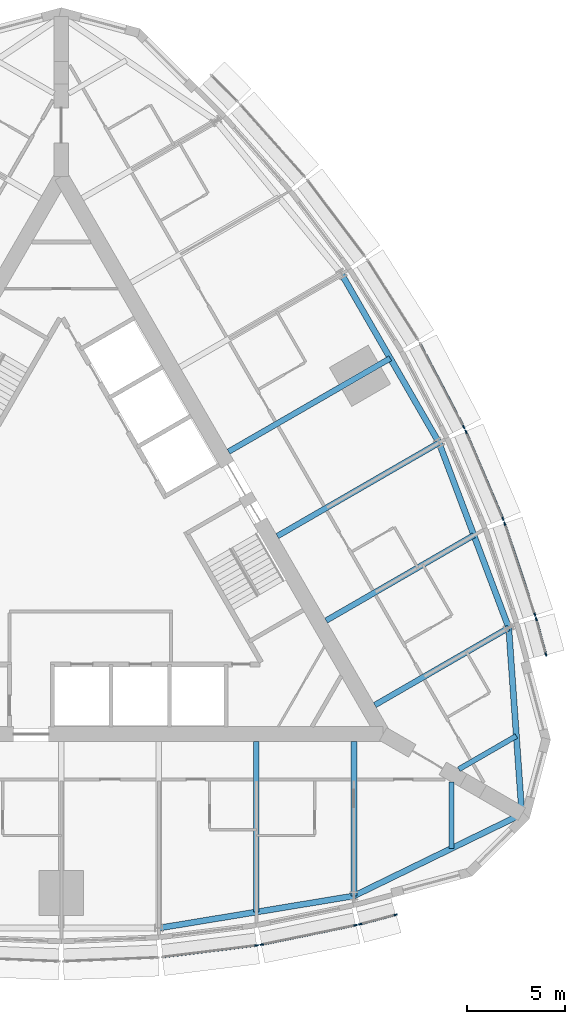
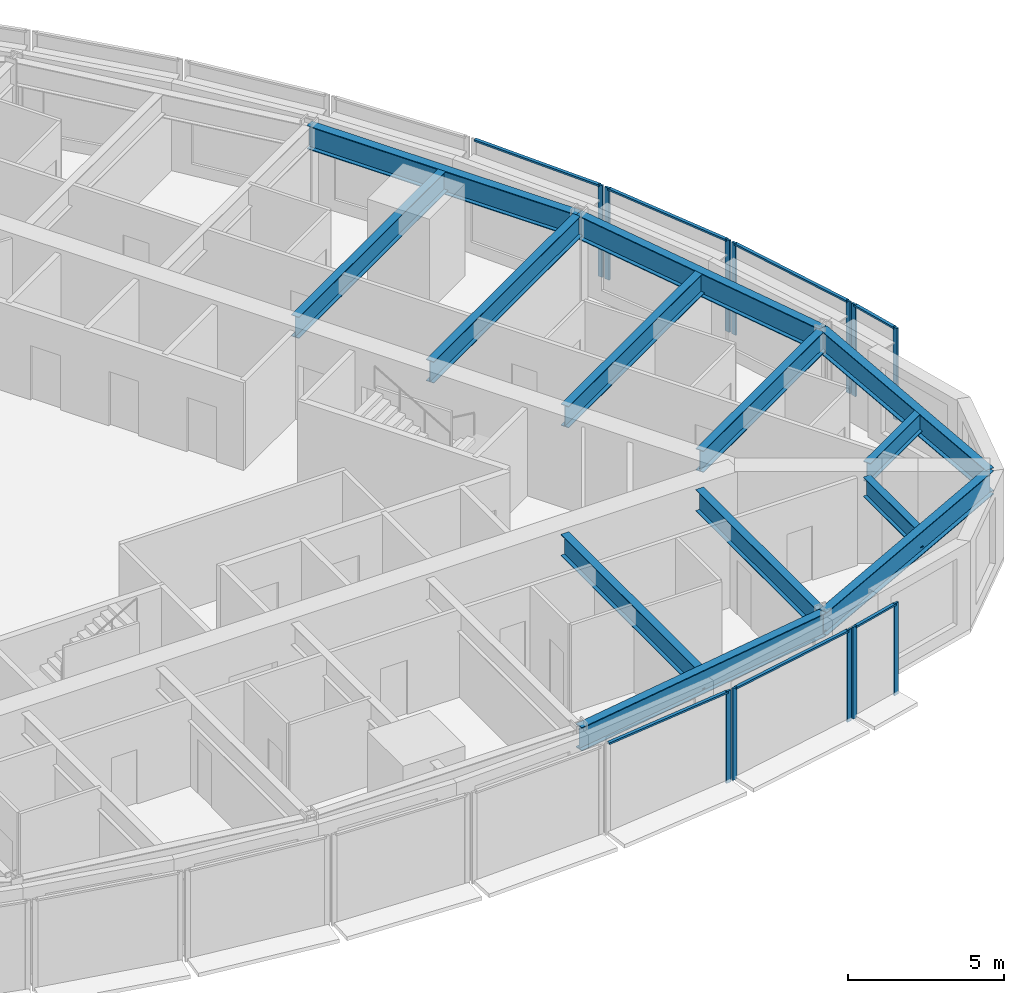
# One storey, part 4 of 15: 19 members, 13 beams, 7 elements without a shape of their own.
"""IFC4 building model written with IfcOpenShell, lengths in metres."""

from ifc_helpers import new_model, si_unit, direction, frame, origin, origin_2d, place, context, subcontext, project, spatial, rectangle, i_section, extrude, material, material_profile, profile_set, type_object, element, aggregate, save


model = new_model("IFC4")

# Units and contexts
model_context = context("Model", 3, precision=1e-05, world=origin(), true_north=direction((0.0, 1.0)))
body_context = subcontext(model_context, "Body", "Model", "MODEL_VIEW")
ifc_project = project(units=[si_unit("LENGTHUNIT", "METRE"), si_unit("AREAUNIT", "SQUARE_METRE"), si_unit("VOLUMEUNIT", "CUBIC_METRE"), si_unit("PLANEANGLEUNIT", "RADIAN"), si_unit("MASSUNIT", "GRAM", prefix="KILO")], contexts=[model_context])

# Site, building, storey
site_placement = place(None, origin())
site = spatial("IfcSite", under=ifc_project, at=site_placement, CompositionType="ELEMENT")
building_placement = place(site_placement, origin())
building = spatial("IfcBuilding", under=site, at=building_placement, Name="Trikona Tower", CompositionType="ELEMENT")
storey_placement = place(building_placement, frame((0.0, 0.0, 211.699951171875)))
storey = spatial("IfcBuildingStorey", under=building, at=storey_placement, Name="L56", CompositionType="ELEMENT", Elevation=211.699951171875)

# Curtain wall, member
ifc_material_1 = material(Name="Aluminium curtain wall system", Category="aluminium")
curtain_wall_type = type_object("IfcCurtainWallType", Name="Curtain wall DS3", PredefinedType="NOTDEFINED", material=ifc_material_1)
curtain_wall_1_placement = place(storey_placement, origin())
curtain_wall_1 = element("IfcCurtainWall", 1, at=curtain_wall_1_placement, inside=storey, type_object=curtain_wall_type, Name="Curtain wall DS3 L56", PredefinedType="NOTDEFINED")
ifc_material_2 = material(Name="Aluminium mullion, pale anodised", Category="aluminium")
ifc_material_profile_1 = material_profile(ifc_material_2, rectangle(XDim=0.070068359375, YDim=0.179931640625, at=origin_2d()), Name="MUL-DS3")
ifc_profile_set_1 = profile_set([ifc_material_profile_1], Name="Aluminium mullion, pale anodised")
member_type_1 = type_object("IfcMemberType", Name="Mullion DS3 70x180", PredefinedType="MULLION", material=ifc_profile_set_1)
member_1_placement = place(storey_placement, frame((10.01611328125, -20.359130859375, 0.0), z_axis=(0.0, 0.0, 1.0), x_axis=(-0.122610640458, 0.992454850785, 0.0)))
member_1 = element("IfcMember", 2, at=member_1_placement, type_object=member_type_1, Name="CW-DS3 mullion 2", PredefinedType="MULLION", context=body_context, shape_type="SweptSolid", body=[
    extrude(rectangle(XDim=0.070068359375, YDim=0.179931640625, at=origin_2d()), origin(), (0.0, 0.0, 1.0), 3.60009765625),
])

# Curtain wall, members
curtain_wall_2_placement = place(storey_placement, origin())
curtain_wall_2 = element("IfcCurtainWall", 3, at=curtain_wall_2_placement, inside=storey, type_object=curtain_wall_type, Name="Curtain wall DS3 L56", PredefinedType="NOTDEFINED")
member_2_placement = place(storey_placement, frame((10.274658203125, -20.316650390625, 0.0), z_axis=(0.0, 0.0, 1.0), x_axis=(-0.201652920672, 0.979457043256, 0.0)))
member_2 = element("IfcMember", 4, at=member_2_placement, type_object=member_type_1, Name="CW-DS3 mullion 1", PredefinedType="MULLION", context=body_context, shape_type="SweptSolid", body=[
    extrude(rectangle(XDim=0.070068359375, YDim=0.179931640625, at=origin_2d()), origin(), (0.0, 0.0, 1.0), 3.60009765625),
])
member_3_placement = place(storey_placement, frame((15.08837890625, -19.325439453125, 0.0), z_axis=(0.0, 0.0, 1.0), x_axis=(-0.201652920672, 0.979457043256, 0.0)))
member_3 = element("IfcMember", 5, at=member_3_placement, type_object=member_type_1, Name="CW-DS3 mullion 2", PredefinedType="MULLION", context=body_context, shape_type="SweptSolid", body=[
    extrude(rectangle(XDim=0.070068359375, YDim=0.179931640625, at=origin_2d()), origin(), (0.0, 0.0, 1.0), 3.60009765625),
])

curtain_wall_3_placement = place(storey_placement, origin())
curtain_wall_3 = element("IfcCurtainWall", 6, at=curtain_wall_3_placement, inside=storey, type_object=curtain_wall_type, Name="Curtain wall DS3 L56", PredefinedType="NOTDEFINED")
member_4_placement = place(storey_placement, frame((15.321044921875, -19.27099609375, 0.0), z_axis=(0.0, 0.0, 1.0), x_axis=(-0.25478635579, 0.966997369647, 0.0)))
member_4 = element("IfcMember", 7, at=member_4_placement, type_object=member_type_1, Name="CW-DS3 mullion 1", PredefinedType="MULLION", context=body_context, shape_type="SweptSolid", body=[
    extrude(rectangle(XDim=0.070068359375, YDim=0.179931640625, at=origin_2d()), origin(), (0.0, 0.0, 1.0), 3.60009765625),
])
member_5_placement = place(storey_placement, frame((17.137451171875, -18.79248046875, 0.0), z_axis=(0.0, 0.0, 1.0), x_axis=(-0.25478635579, 0.966997369647, 0.0)))
member_5 = element("IfcMember", 8, at=member_5_placement, type_object=member_type_1, Name="CW-DS3 mullion 2", PredefinedType="MULLION", context=body_context, shape_type="SweptSolid", body=[
    extrude(rectangle(XDim=0.070068359375, YDim=0.179931640625, at=origin_2d()), origin(), (0.0, 0.0, 1.0), 3.60009765625),
])

curtain_wall_4_placement = place(storey_placement, origin())
curtain_wall_4 = element("IfcCurtainWall", 9, at=curtain_wall_4_placement, inside=storey, type_object=curtain_wall_type, Name="Curtain wall DS3 L56", PredefinedType="NOTDEFINED")
member_6_placement = place(storey_placement, frame((24.843505859375, -5.4453125, 0.0), z_axis=(0.0, 0.0, 1.0), x_axis=(-0.964838403494, -0.262843784676, 0.0)))
member_6 = element("IfcMember", 10, at=member_6_placement, type_object=member_type_1, Name="CW-DS3 mullion 1", PredefinedType="MULLION", context=body_context, shape_type="SweptSolid", body=[
    extrude(rectangle(XDim=0.070068359375, YDim=0.179931640625, at=origin_2d()), origin(), (0.0, 0.0, 1.0), 3.60009765625),
])
member_7_placement = place(storey_placement, frame((24.349609375, -3.633056640625, 0.0), z_axis=(0.0, 0.0, 1.0), x_axis=(-0.964838403494, -0.262843784676, 0.0)))
member_7 = element("IfcMember", 11, at=member_7_placement, type_object=member_type_1, Name="CW-DS3 mullion 2", PredefinedType="MULLION", context=body_context, shape_type="SweptSolid", body=[
    extrude(rectangle(XDim=0.070068359375, YDim=0.179931640625, at=origin_2d()), origin(), (0.0, 0.0, 1.0), 3.60009765625),
])

curtain_wall_5_placement = place(storey_placement, origin())
curtain_wall_5 = element("IfcCurtainWall", 12, at=curtain_wall_5_placement, inside=storey, type_object=curtain_wall_type, Name="Curtain wall DS3 L56", PredefinedType="NOTDEFINED")
member_8_placement = place(storey_placement, frame((24.280517578125, -3.404296875, 0.0), z_axis=(0.0, 0.0, 1.0), x_axis=(-0.949065766708, -0.315078038687, 0.0)))
member_8 = element("IfcMember", 13, at=member_8_placement, type_object=member_type_1, Name="CW-DS3 mullion 1", PredefinedType="MULLION", context=body_context, shape_type="SweptSolid", body=[
    extrude(rectangle(XDim=0.070068359375, YDim=0.179931640625, at=origin_2d()), origin(), (0.0, 0.0, 1.0), 3.60009765625),
])
member_9_placement = place(storey_placement, frame((22.73193359375, 1.26025390625, 0.0), z_axis=(0.0, 0.0, 1.0), x_axis=(-0.949065766708, -0.315078038687, 0.0)))
member_9 = element("IfcMember", 14, at=member_9_placement, type_object=member_type_1, Name="CW-DS3 mullion 2", PredefinedType="MULLION", context=body_context, shape_type="SweptSolid", body=[
    extrude(rectangle(XDim=0.070068359375, YDim=0.179931640625, at=origin_2d()), origin(), (0.0, 0.0, 1.0), 3.60009765625),
])

curtain_wall_6_placement = place(storey_placement, origin())
curtain_wall_6 = element("IfcCurtainWall", 15, at=curtain_wall_6_placement, inside=storey, type_object=curtain_wall_type, Name="Curtain wall DS3 L56", PredefinedType="NOTDEFINED")
member_10_placement = place(storey_placement, frame((22.6396484375, 1.50537109375, 0.0), z_axis=(0.0, 0.0, 1.0), x_axis=(-0.920792322808, -0.390053199266, 0.0)))
member_10 = element("IfcMember", 16, at=member_10_placement, type_object=member_type_1, Name="CW-DS3 mullion 1", PredefinedType="MULLION", context=body_context, shape_type="SweptSolid", body=[
    extrude(rectangle(XDim=0.070068359375, YDim=0.179931640625, at=origin_2d()), origin(), (0.0, 0.0, 1.0), 3.60009765625),
])
member_11_placement = place(storey_placement, frame((20.74853515625, 5.969482421875, 0.0), z_axis=(0.0, 0.0, 1.0), x_axis=(-0.920792322808, -0.390053199266, 0.0)))
member_11 = element("IfcMember", 17, at=member_11_placement, type_object=member_type_1, Name="CW-DS3 mullion 2", PredefinedType="MULLION", context=body_context, shape_type="SweptSolid", body=[
    extrude(rectangle(XDim=0.070068359375, YDim=0.179931640625, at=origin_2d()), origin(), (0.0, 0.0, 1.0), 3.60009765625),
])

# Curtain wall, member
curtain_wall_7_placement = place(storey_placement, origin())
curtain_wall_7 = element("IfcCurtainWall", 18, at=curtain_wall_7_placement, inside=storey, type_object=curtain_wall_type, Name="Curtain wall DS3 L56", PredefinedType="NOTDEFINED")
member_12_placement = place(storey_placement, frame((20.635986328125, 6.20751953125, 0.0), z_axis=(0.0, 0.0, 1.0), x_axis=(-0.885862390527, -0.463948084434, 0.0)))
member_12 = element("IfcMember", 19, at=member_12_placement, type_object=member_type_1, Name="CW-DS3 mullion 1", PredefinedType="MULLION", context=body_context, shape_type="SweptSolid", body=[
    extrude(rectangle(XDim=0.070068359375, YDim=0.179931640625, at=origin_2d()), origin(), (0.0, 0.0, 1.0), 3.60009765625),
])

# Beams
ifc_material_3 = material(Name="Steel ASTM A992 Grade 50", Category="steel")
ifc_material_profile_2 = material_profile(ifc_material_3, i_section(OverallWidth=0.2666015625, OverallDepth=0.76953125, WebThickness=0.015625, FlangeThickness=0.025390625, at=origin_2d()), Name="W30X132")
ifc_profile_set_2 = profile_set([ifc_material_profile_2], Name="Steel ASTM A992 Grade 50")
beam_type_1 = type_object("IfcBeamType", Name="Steel beam W30x132 (wedge)", PredefinedType="BEAM", material=ifc_profile_set_2)
beam_1_placement = place(storey_placement, frame((20.0, -11.97998046875, 3.05029296875), z_axis=(0.0, -1.0, 0.0), x_axis=(1.0, 0.0, 0.0)))
element("IfcBeam", 20, at=beam_1_placement, inside=storey, type_object=beam_type_1, Name="Floor beam L57 F1 u20", PredefinedType="BEAM", context=body_context, shape_type="SweptSolid", body=[
    extrude(i_section(OverallWidth=0.2666015625, OverallDepth=0.76953125, WebThickness=0.015625, FlangeThickness=0.025390625, at=origin_2d()), origin(), (0.0, 0.0, 1.0), 3.40966796875),
])
beam_2_placement = place(storey_placement, frame((20.375, -11.33056640625, 3.05029296875), z_axis=(0.865995995653, 0.500050932918, 0.0), x_axis=(-0.500050932918, 0.865995995653, 0.0)))
element("IfcBeam", 21, at=beam_2_placement, inside=storey, type_object=beam_type_1, Name="Floor beam L57 F2 u-20", PredefinedType="BEAM", context=body_context, shape_type="SweptSolid", body=[
    extrude(i_section(OverallWidth=0.2666015625, OverallDepth=0.76953125, WebThickness=0.015625, FlangeThickness=0.025390625, at=origin_2d()), origin(), (0.0, 0.0, 1.0), 3.409912109375),
])
ifc_material_4 = material(Name="Steel ASTM A992 Grade 50", Category="steel")
ifc_material_profile_3 = material_profile(ifc_material_4, i_section(OverallWidth=0.2919921875, OverallDepth=0.845703125, WebThickness=0.015380859375, FlangeThickness=0.0244140625, at=origin_2d()), Name="W33X141")
ifc_profile_set_3 = profile_set([ifc_material_profile_3], Name="Steel ASTM A992 Grade 50")
beam_type_2 = type_object("IfcBeamType", Name="Steel beam W33x141 (radial typ)", PredefinedType="BEAM", material=ifc_profile_set_3)
beam_3_placement = place(storey_placement, frame((10.0, -9.9013671875, 3.01220703125), z_axis=(0.0, -1.0, 0.0), x_axis=(1.0, 0.0, 0.0)))
element("IfcBeam", 22, at=beam_3_placement, inside=storey, type_object=beam_type_2, Name="Floor beam L57 F1 u10", PredefinedType="BEAM", context=body_context, shape_type="SweptSolid", body=[
    extrude(i_section(OverallWidth=0.2919921875, OverallDepth=0.845703125, WebThickness=0.015380859375, FlangeThickness=0.0244140625, at=origin_2d()), origin(), (0.0, 0.0, 1.0), 8.7470703125),
])
for number, where, z_axis, x_axis, name in (
    (23, (15.0, -9.9013671875, 3.01220703125), (0.0, -1.0, 0.0), (1.0, 0.0, 0.0), "Floor beam L57 F1 u15"),
    (24, (16.07470703125, -8.039794921875, 3.01220703125), (0.866019853763, 0.500009612796, 0.0), (-0.500009612796, 0.866019853763, 0.0), "Floor beam L57 F2 u-15"),
):
    element("IfcBeam", number, at=place(storey_placement, frame(where, z_axis=z_axis, x_axis=x_axis)), inside=storey, type_object=beam_type_2, Name=name, PredefinedType="BEAM", context=body_context, shape_type="SweptSolid", body=[
        extrude(i_section(OverallWidth=0.2919921875, OverallDepth=0.845703125, WebThickness=0.015380859375, FlangeThickness=0.0244140625, at=origin_2d()), origin(), (0.0, 0.0, 1.0), 7.923583984375),
    ])
beam_4_placement = place(storey_placement, frame((13.57470703125, -3.709716796875, 3.01220703125), z_axis=(0.866013609749, 0.500020427312, 0.0), x_axis=(-0.500020427312, 0.866013609749, 0.0)))
element("IfcBeam", 25, at=beam_4_placement, inside=storey, type_object=beam_type_2, Name="Floor beam L57 F2 u-10", PredefinedType="BEAM", context=body_context, shape_type="SweptSolid", body=[
    extrude(i_section(OverallWidth=0.2919921875, OverallDepth=0.845703125, WebThickness=0.015380859375, FlangeThickness=0.0244140625, at=origin_2d()), origin(), (0.0, 0.0, 1.0), 8.747314453125),
])
for number, where, z_axis, x_axis, name in (
    (26, (11.07470703125, 0.62060546875, 3.01220703125), (0.866025863714, 0.499999203377, 0.0), (-0.499999203377, 0.866025863714, 0.0), "Floor beam L57 F2 u-5"),
    (27, (8.57470703125, 4.95068359375, 3.01220703125), (0.866025863714, 0.499999203377, 0.0), (-0.499999203377, 0.866025863714, 0.0), "Floor beam L57 F2 u0"),
):
    element("IfcBeam", number, at=place(storey_placement, frame(where, z_axis=z_axis, x_axis=x_axis)), inside=storey, type_object=beam_type_2, Name=name, PredefinedType="BEAM", context=body_context, shape_type="SweptSolid", body=[
        extrude(i_section(OverallWidth=0.2919921875, OverallDepth=0.845703125, WebThickness=0.015380859375, FlangeThickness=0.0244140625, at=origin_2d()), origin(), (0.0, 0.0, 1.0), 9.57080078125),
    ])
ifc_material_5 = material(Name="Steel ASTM A992 Grade 50", Category="steel")
ifc_material_profile_4 = material_profile(ifc_material_5, i_section(OverallWidth=0.307373046875, OverallDepth=0.922119140625, WebThickness=0.018310546875, FlangeThickness=0.030029296875, at=origin_2d()), Name="W36X182")
ifc_profile_set_4 = profile_set([ifc_material_profile_4], Name="Steel ASTM A992 Grade 50")
beam_type_3 = type_object("IfcBeamType", Name="Steel beam W36x182 (spandrel mid)", PredefinedType="SPANDREL", material=ifc_profile_set_4)
beam_5_placement = place(storey_placement, frame((5.0, -19.471923828125, 2.97412109375), z_axis=(0.986707228918, 0.162507982575, 0.0), x_axis=(-0.162507982575, 0.986707228918, 0.0)))
element("IfcBeam", 28, at=beam_5_placement, inside=storey, type_object=beam_type_3, Name="Spandrel beam L57 F1-4", PredefinedType="SPANDREL", context=body_context, shape_type="SweptSolid", body=[
    extrude(i_section(OverallWidth=0.307373046875, OverallDepth=0.922119140625, WebThickness=0.018310546875, FlangeThickness=0.030029296875, at=origin_2d()), origin(), (0.0, 0.0, 1.0), 10.134765625),
])
beam_6_placement = place(storey_placement, frame((15.0, -17.824951171875, 2.97412109375), z_axis=(0.899038503257, 0.437869580652, 0.0), x_axis=(-0.437869580652, 0.899038503257, 0.0)))
element("IfcBeam", 29, at=beam_6_placement, inside=storey, type_object=beam_type_3, Name="Spandrel beam L57 F1-5", PredefinedType="SPANDREL", context=body_context, shape_type="SweptSolid", body=[
    extrude(i_section(OverallWidth=0.307373046875, OverallDepth=0.922119140625, WebThickness=0.018310546875, FlangeThickness=0.030029296875, at=origin_2d()), origin(), (0.0, 0.0, 1.0), 9.577392578125),
])
beam_7_placement = place(storey_placement, frame((23.6103515625, -13.63134765625, 2.97412109375), z_axis=(-0.07033215835, 0.997523627541, 0.0), x_axis=(-0.997523627541, -0.07033215835, 0.0)))
element("IfcBeam", 30, at=beam_7_placement, inside=storey, type_object=beam_type_3, Name="Spandrel beam L57 F2-1", PredefinedType="SPANDREL", context=body_context, shape_type="SweptSolid", body=[
    extrude(i_section(OverallWidth=0.307373046875, OverallDepth=0.922119140625, WebThickness=0.018310546875, FlangeThickness=0.030029296875, at=origin_2d()), origin(), (0.0, 0.0, 1.0), 9.5771484375),
])
beam_8_placement = place(storey_placement, frame((22.936767578125, -4.077880859375, 2.97412109375), z_axis=(-0.352596088442, 0.935775613283, 0.0), x_axis=(-0.935775613283, -0.352596088442, 0.0)))
element("IfcBeam", 31, at=beam_8_placement, inside=storey, type_object=beam_type_3, Name="Spandrel beam L57 F2-2", PredefinedType="SPANDREL", context=body_context, shape_type="SweptSolid", body=[
    extrude(i_section(OverallWidth=0.307373046875, OverallDepth=0.922119140625, WebThickness=0.018310546875, FlangeThickness=0.030029296875, at=origin_2d()), origin(), (0.0, 0.0, 1.0), 10.134765625),
])
beam_9_placement = place(storey_placement, frame((19.36328125, 5.406005859375, 2.97412109375), z_axis=(-0.500004234368, 0.866022959057, 0.0), x_axis=(-0.866022959057, -0.500004234368, 0.0)))
element("IfcBeam", 32, at=beam_9_placement, inside=storey, type_object=beam_type_3, Name="Spandrel beam L57 F2-3", PredefinedType="SPANDREL", context=body_context, shape_type="SweptSolid", body=[
    extrude(i_section(OverallWidth=0.307373046875, OverallDepth=0.922119140625, WebThickness=0.018310546875, FlangeThickness=0.030029296875, at=origin_2d()), origin(), (0.0, 0.0, 1.0), 10.0),
])

# Member
ifc_material_6 = material(Name="Aluminium transom, pale anodised", Category="aluminium")
ifc_material_profile_5 = material_profile(ifc_material_6, rectangle(XDim=0.1201171875, YDim=0.070068359375, at=origin_2d()), Name="TRN-DS3")
ifc_profile_set_5 = profile_set([ifc_material_profile_5], Name="Aluminium transom, pale anodised")
member_type_2 = type_object("IfcMemberType", Name="Transom DS3 70x120", PredefinedType="USERDEFINED", material=ifc_profile_set_5)
member_13_placement = place(storey_placement, frame((5.2392578125, -20.94921875, 3.56494140625), z_axis=(0.992459172161, 0.122575656611, 0.0), x_axis=(-0.122575656611, 0.992459172161, 0.0)))
member_13 = element("IfcMember", 33, at=member_13_placement, type_object=member_type_2, Name="CW-DS3 transom 1.1", ObjectType="TRANSOM", PredefinedType="USERDEFINED", context=body_context, shape_type="SweptSolid", body=[
    extrude(rectangle(XDim=0.1201171875, YDim=0.070068359375, at=origin_2d()), origin(), (0.0, 0.0, 1.0), 4.7783203125),
])

aggregate(curtain_wall_1, [member_1, member_13])

member_14_placement = place(storey_placement, frame((10.308837890625, -20.3095703125, 3.56494140625), z_axis=(0.979454408611, 0.201665717099, 0.0), x_axis=(-0.201665717099, 0.979454408611, 0.0)))
member_14 = element("IfcMember", 34, at=member_14_placement, type_object=member_type_2, Name="CW-DS3 transom 1.1", ObjectType="TRANSOM", PredefinedType="USERDEFINED", context=body_context, shape_type="SweptSolid", body=[
    extrude(rectangle(XDim=0.1201171875, YDim=0.070068359375, at=origin_2d()), origin(), (0.0, 0.0, 1.0), 4.844970703125),
])

aggregate(curtain_wall_2, [member_2, member_3, member_14])

member_15_placement = place(storey_placement, frame((15.35498046875, -19.261962890625, 3.56494140625), z_axis=(0.966999290683, 0.254779064719, 0.0), x_axis=(-0.254779064719, 0.966999290683, 0.0)))
member_15 = element("IfcMember", 35, at=member_15_placement, type_object=member_type_2, Name="CW-DS3 transom 1.1", ObjectType="TRANSOM", PredefinedType="USERDEFINED", context=body_context, shape_type="SweptSolid", body=[
    extrude(rectangle(XDim=0.1201171875, YDim=0.070068359375, at=origin_2d()), origin(), (0.0, 0.0, 1.0), 1.80810546875),
])

aggregate(curtain_wall_3, [member_4, member_5, member_15])

member_16_placement = place(storey_placement, frame((24.834228515625, -5.41162109375, 3.56494140625), z_axis=(-0.262843243155, 0.964838551017, 0.0), x_axis=(-0.964838551017, -0.262843243155, 0.0)))
member_16 = element("IfcMember", 36, at=member_16_placement, type_object=member_type_2, Name="CW-DS3 transom 1.1", ObjectType="TRANSOM", PredefinedType="USERDEFINED", context=body_context, shape_type="SweptSolid", body=[
    extrude(rectangle(XDim=0.1201171875, YDim=0.070068359375, at=origin_2d()), origin(), (0.0, 0.0, 1.0), 1.808349609375),
])

aggregate(curtain_wall_4, [member_6, member_7, member_16])

member_17_placement = place(storey_placement, frame((24.26953125, -3.370849609375, 3.56494140625), z_axis=(-0.315063426034, 0.949070617802, 0.0), x_axis=(-0.949070617802, -0.315063426034, 0.0)))
member_17 = element("IfcMember", 37, at=member_17_placement, type_object=member_type_2, Name="CW-DS3 transom 1.1", ObjectType="TRANSOM", PredefinedType="USERDEFINED", context=body_context, shape_type="SweptSolid", body=[
    extrude(rectangle(XDim=0.1201171875, YDim=0.070068359375, at=origin_2d()), origin(), (0.0, 0.0, 1.0), 4.8447265625),
])

aggregate(curtain_wall_5, [member_8, member_9, member_17])

member_18_placement = place(storey_placement, frame((22.6259765625, 1.53759765625, 3.56494140625), z_axis=(-0.390061662668, 0.920788737614, 0.0), x_axis=(-0.920788737614, -0.390061662668, 0.0)))
member_18 = element("IfcMember", 38, at=member_18_placement, type_object=member_type_2, Name="CW-DS3 transom 1.1", ObjectType="TRANSOM", PredefinedType="USERDEFINED", context=body_context, shape_type="SweptSolid", body=[
    extrude(rectangle(XDim=0.1201171875, YDim=0.070068359375, at=origin_2d()), origin(), (0.0, 0.0, 1.0), 4.778076171875),
])

aggregate(curtain_wall_6, [member_10, member_11, member_18])

member_19_placement = place(storey_placement, frame((20.61962890625, 6.238525390625, 3.56494140625), z_axis=(-0.463910848027, 0.885881891158, 0.0), x_axis=(-0.885881891158, -0.463910848027, 0.0)))
member_19 = element("IfcMember", 39, at=member_19_placement, type_object=member_type_2, Name="CW-DS3 transom 1.1", ObjectType="TRANSOM", PredefinedType="USERDEFINED", context=body_context, shape_type="SweptSolid", body=[
    extrude(rectangle(XDim=0.1201171875, YDim=0.070068359375, at=origin_2d()), origin(), (0.0, 0.0, 1.0), 4.744384765625),
])

aggregate(curtain_wall_7, [member_12, member_19])

save(model, "model.ifc")
